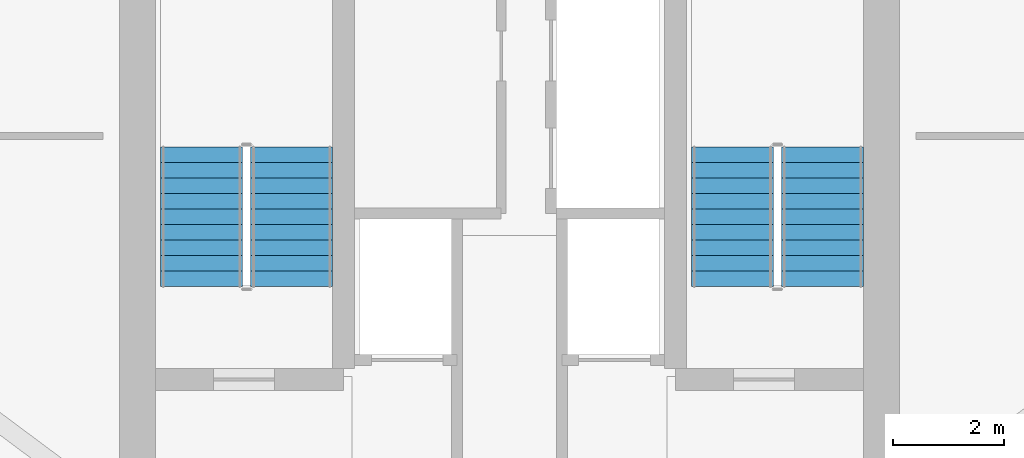
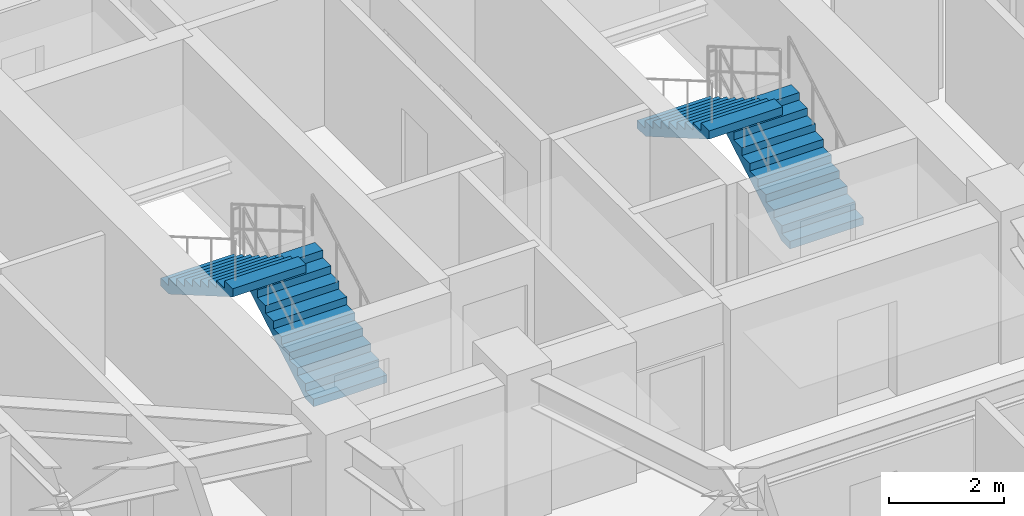
# One storey, part 30 of 32: 4 stair flights, 2 elements without a shape of their own.
"""IFC4 building model written with IfcOpenShell, lengths in metres."""

from ifc_helpers import new_model, si_unit, direction, frame, origin, place, context, subcontext, project, spatial, polyline, outline, extrude, material, type_object, element, aggregate, save


model = new_model("IFC4")

# Units and contexts
model_context = context("Model", 3, precision=1e-05, world=origin(), true_north=direction((0.0, 1.0)))
body_context = subcontext(model_context, "Body", "Model", "MODEL_VIEW")
ifc_project = project(units=[si_unit("LENGTHUNIT", "METRE"), si_unit("AREAUNIT", "SQUARE_METRE"), si_unit("VOLUMEUNIT", "CUBIC_METRE"), si_unit("PLANEANGLEUNIT", "RADIAN"), si_unit("MASSUNIT", "GRAM", prefix="KILO")], contexts=[model_context])

# Site, building, storey
site_placement = place(None, origin())
site = spatial("IfcSite", under=ifc_project, at=site_placement, CompositionType="ELEMENT")
building_placement = place(site_placement, origin())
building = spatial("IfcBuilding", under=site, at=building_placement, Name="Veraguas Prism Commons", CompositionType="ELEMENT")
storey_placement = place(building_placement, frame((0.0, 0.0, 136.0)))
storey = spatial("IfcBuildingStorey", under=building, at=storey_placement, Name="L38", CompositionType="ELEMENT", Elevation=136.0)

# Stair, stair flights
ifc_material = material(Name="Precast concrete C45/55", Category="concrete")
stair_type = type_object("IfcStairType", Name="Dogleg Core Stair 1480W 20R 05", PredefinedType="HALF_TURN_STAIR", material=ifc_material)
stair_1_placement = place(storey_placement, origin())
stair_1 = element("IfcStair", 1, at=stair_1_placement, inside=storey, type_object=stair_type, Name="Protected Exit Stair ST-01 L38", PredefinedType="HALF_TURN_STAIR")
stair_flight_type = type_object("IfcStairFlightType", Name="Precast Stair Flight 1480W 10R 05", PredefinedType="STRAIGHT", material=ifc_material)
stair_flight_1_placement = place(storey_placement, frame((20.06005859375, 21.280029296875, 0.0), z_axis=(0.0, 0.0, 1.0), x_axis=(0.0, 1.0, 0.0)))
stair_flight_1 = element("IfcStairFlight", 2, at=stair_flight_1_placement, type_object=stair_flight_type, Name="ST-05 Flight 1", NumberOfRisers=10, NumberOfTreads=9, PredefinedType="STRAIGHT", RiserHeight=0.1625, TreadLength=0.28, context=body_context, shape_type="SweptSolid", body=[
    extrude(outline(polyline([(0.0, 0.0), (0.0, 0.16259765625), (0.280029296875, 0.16259765625), (0.280029296875, 0.324951171875), (0.56005859375, 0.324951171875), (0.56005859375, 0.487548828125), (0.840087890625, 0.487548828125), (0.840087890625, 0.64990234375), (1.1201171875, 0.64990234375), (1.1201171875, 0.8125), (1.39990234375, 0.8125), (1.39990234375, 0.97509765625), (1.679931640625, 0.97509765625), (1.679931640625, 1.137451171875), (1.9599609375, 1.137451171875), (1.9599609375, 1.300048828125), (2.239990234375, 1.300048828125), (2.239990234375, 1.46240234375), (2.52001953125, 1.46240234375), (2.52001953125, 1.625), (2.52001953125, 1.2890625), (0.298583984375, 0.0), (0.0, 0.0)])), frame((0.0, 0.739990234375, 0.0), z_axis=(0.0, -1.0, 0.0), x_axis=(1.0, 0.0, 0.0)), (0.0, 0.0, 1.0), 1.47998046875),
])
stair_flight_2_placement = place(storey_placement, frame((18.429931640625, 23.800048828125, 1.625), z_axis=(0.0, 0.0, 1.0), x_axis=(0.0, -1.0, 0.0)))
stair_flight_2 = element("IfcStairFlight", 3, at=stair_flight_2_placement, type_object=stair_flight_type, Name="ST-05 Flight 2", NumberOfRisers=10, NumberOfTreads=9, PredefinedType="STRAIGHT", RiserHeight=0.1625, TreadLength=0.28, context=body_context, shape_type="SweptSolid", body=[
    extrude(outline(polyline([(0.0, 0.0), (0.0, 0.16259765625), (0.280029296875, 0.16259765625), (0.280029296875, 0.324951171875), (0.56005859375, 0.324951171875), (0.56005859375, 0.487548828125), (0.840087890625, 0.487548828125), (0.840087890625, 0.64990234375), (1.1201171875, 0.64990234375), (1.1201171875, 0.8125), (1.39990234375, 0.8125), (1.39990234375, 0.97509765625), (1.679931640625, 0.97509765625), (1.679931640625, 1.137451171875), (1.9599609375, 1.137451171875), (1.9599609375, 1.300048828125), (2.239990234375, 1.300048828125), (2.239990234375, 1.46240234375), (2.52001953125, 1.46240234375), (2.52001953125, 1.625), (2.52001953125, 1.2890625), (0.298583984375, 0.0), (0.0, 0.0)])), frame((0.0, 0.739990234375, 0.0), z_axis=(0.0, -1.0, 0.0), x_axis=(1.0, 0.0, 0.0)), (0.0, 0.0, 1.0), 1.47998046875),
])
aggregate(stair_1, [stair_flight_1, stair_flight_2])

stair_2_placement = place(storey_placement, origin())
stair_2 = element("IfcStair", 4, at=stair_2_placement, inside=storey, type_object=stair_type, Name="Protected Exit Stair ST-02 L38", PredefinedType="HALF_TURN_STAIR")
stair_flight_3_placement = place(storey_placement, frame((29.659912109375, 21.280029296875, 0.0), z_axis=(0.0, 0.0, 1.0), x_axis=(0.0, 1.0, 0.0)))
stair_flight_3 = element("IfcStairFlight", 5, at=stair_flight_3_placement, type_object=stair_flight_type, Name="ST-05 Flight 1", NumberOfRisers=10, NumberOfTreads=9, PredefinedType="STRAIGHT", RiserHeight=0.1625, TreadLength=0.28, context=body_context, shape_type="SweptSolid", body=[
    extrude(outline(polyline([(0.0, 0.0), (0.0, 0.16259765625), (0.280029296875, 0.16259765625), (0.280029296875, 0.324951171875), (0.56005859375, 0.324951171875), (0.56005859375, 0.487548828125), (0.840087890625, 0.487548828125), (0.840087890625, 0.64990234375), (1.1201171875, 0.64990234375), (1.1201171875, 0.8125), (1.39990234375, 0.8125), (1.39990234375, 0.97509765625), (1.679931640625, 0.97509765625), (1.679931640625, 1.137451171875), (1.9599609375, 1.137451171875), (1.9599609375, 1.300048828125), (2.239990234375, 1.300048828125), (2.239990234375, 1.46240234375), (2.52001953125, 1.46240234375), (2.52001953125, 1.625), (2.52001953125, 1.2890625), (0.298583984375, 0.0), (0.0, 0.0)])), frame((0.0, 0.739990234375, 0.0), z_axis=(0.0, -1.0, 0.0), x_axis=(1.0, 0.0, 0.0)), (0.0, 0.0, 1.0), 1.47998046875),
])
stair_flight_4_placement = place(storey_placement, frame((28.030029296875, 23.800048828125, 1.625), z_axis=(0.0, 0.0, 1.0), x_axis=(0.0, -1.0, 0.0)))
stair_flight_4 = element("IfcStairFlight", 6, at=stair_flight_4_placement, type_object=stair_flight_type, Name="ST-05 Flight 2", NumberOfRisers=10, NumberOfTreads=9, PredefinedType="STRAIGHT", RiserHeight=0.1625, TreadLength=0.28, context=body_context, shape_type="SweptSolid", body=[
    extrude(outline(polyline([(0.0, 0.0), (0.0, 0.16259765625), (0.280029296875, 0.16259765625), (0.280029296875, 0.324951171875), (0.56005859375, 0.324951171875), (0.56005859375, 0.487548828125), (0.840087890625, 0.487548828125), (0.840087890625, 0.64990234375), (1.1201171875, 0.64990234375), (1.1201171875, 0.8125), (1.39990234375, 0.8125), (1.39990234375, 0.97509765625), (1.679931640625, 0.97509765625), (1.679931640625, 1.137451171875), (1.9599609375, 1.137451171875), (1.9599609375, 1.300048828125), (2.239990234375, 1.300048828125), (2.239990234375, 1.46240234375), (2.52001953125, 1.46240234375), (2.52001953125, 1.625), (2.52001953125, 1.2890625), (0.298583984375, 0.0), (0.0, 0.0)])), frame((0.0, 0.739990234375, 0.0), z_axis=(0.0, -1.0, 0.0), x_axis=(1.0, 0.0, 0.0)), (0.0, 0.0, 1.0), 1.47998046875),
])
aggregate(stair_2, [stair_flight_3, stair_flight_4])

save(model, "model.ifc")
